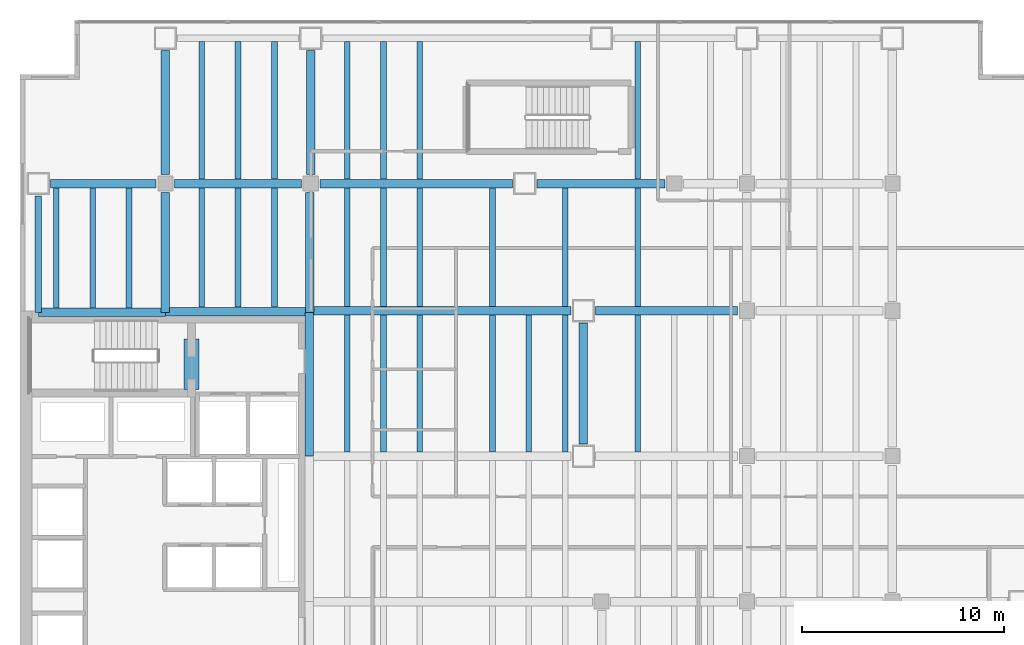
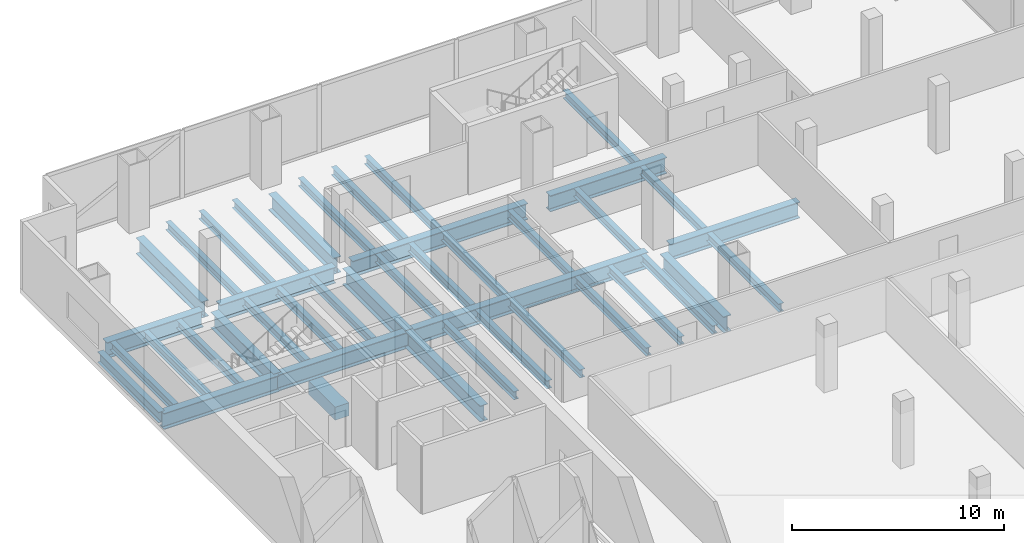
# One storey, part 10 of 28: 42 beams.
"""IFC4 building model written with IfcOpenShell, lengths in metres."""

from ifc_helpers import new_model, si_unit, direction, frame, origin, origin_2d, place, context, subcontext, project, spatial, rectangle, i_section, extrude, material, material_profile, profile_set, type_object, element, save


model = new_model("IFC4")

# Units and contexts
model_context = context("Model", 3, precision=1e-05, world=origin(), true_north=direction((0.0, 1.0)))
body_context = subcontext(model_context, "Body", "Model", "MODEL_VIEW")
ifc_project = project(units=[si_unit("LENGTHUNIT", "METRE"), si_unit("AREAUNIT", "SQUARE_METRE"), si_unit("VOLUMEUNIT", "CUBIC_METRE"), si_unit("PLANEANGLEUNIT", "RADIAN"), si_unit("MASSUNIT", "GRAM", prefix="KILO")], contexts=[model_context])

# Site, building, storey
site_placement = place(None, origin())
site = spatial("IfcSite", under=ifc_project, at=site_placement, CompositionType="ELEMENT")
building_placement = place(site_placement, origin())
building = spatial("IfcBuilding", under=site, at=building_placement, Name="Cobrela Telecom Tower", CompositionType="ELEMENT")
storey_placement = place(building_placement, frame((0.0, 0.0, 17.85009765625)))
storey = spatial("IfcBuildingStorey", under=building, at=storey_placement, Name="L04", CompositionType="ELEMENT", Elevation=17.85009765625)

# Beams
ifc_material_1 = material(Name="Concrete C40/50", Category="concrete")
ifc_material_profile_1 = material_profile(ifc_material_1, rectangle(XDim=0.75, YDim=0.75, at=origin_2d()), Name="RC 750x750")
ifc_profile_set_1 = profile_set([ifc_material_profile_1], Name="Concrete C40/50")
beam_type_1 = type_object("IfcBeamType", Name="BM-COUP-RC", PredefinedType="LINTEL", material=ifc_profile_set_1)
beam_1_placement = place(storey_placement, frame((8.5, 32.10009765625, -0.64013671875), z_axis=(0.0, 1.0, 0.0), x_axis=(-1.0, 0.0, 0.0)))
element("IfcBeam", 1, at=beam_1_placement, inside=storey, type_object=beam_type_1, Name="L04 Core Coupling Lintel Beam", PredefinedType="LINTEL", context=body_context, shape_type="SweptSolid", body=[
    extrude(rectangle(XDim=0.75, YDim=0.75, at=origin_2d()), origin(), (0.0, 0.0, 1.0), 2.5),
])
ifc_material_2 = material(Name="Steel ASTM A992 Grade 50", Category="steel")
ifc_material_profile_2 = material_profile(ifc_material_2, i_section(OverallWidth=0.4189453125, OverallDepth=0.927001953125, WebThickness=0.019287109375, FlangeThickness=0.031982421875, FilletRadius=0.02392578125, at=origin_2d()), Name="W36X231")
ifc_profile_set_2 = profile_set([ifc_material_profile_2], Name="Steel ASTM A992 Grade 50")
beam_type_2 = type_object("IfcBeamType", Name="BM-GIRD-02", PredefinedType="USERDEFINED", material=ifc_profile_set_2)
beam_2_placement = place(storey_placement, frame((0.905029296875, 35.919921875, -0.753662109375), z_axis=(1.0, 0.0, 0.0), x_axis=(0.0, 1.0, 0.0)))
element("IfcBeam", 2, at=beam_2_placement, inside=storey, type_object=beam_type_2, Name="L04 Primary Girder X41", ObjectType="GIRDER", PredefinedType="USERDEFINED", context=body_context, shape_type="SweptSolid", body=[
    extrude(i_section(OverallWidth=0.4189453125, OverallDepth=0.927001953125, WebThickness=0.019287109375, FlangeThickness=0.031982421875, FilletRadius=0.02392578125, at=origin_2d()), origin(), (0.0, 0.0, 1.0), 6.2900390625),
])
beam_3_placement = place(storey_placement, frame((7.205078125, 35.9599609375, -0.753662109375), z_axis=(1.0, 0.0, 0.0), x_axis=(0.0, 1.0, 0.0)))
element("IfcBeam", 3, at=beam_3_placement, inside=storey, type_object=beam_type_2, Name="L04 Primary Girder X42", ObjectType="GIRDER", PredefinedType="USERDEFINED", context=body_context, shape_type="SweptSolid", body=[
    extrude(i_section(OverallWidth=0.4189453125, OverallDepth=0.927001953125, WebThickness=0.019287109375, FlangeThickness=0.031982421875, FilletRadius=0.02392578125, at=origin_2d()), origin(), (0.0, 0.0, 1.0), 7.10986328125),
])
beam_4_placement = place(storey_placement, frame((14.324951171875, 36.0, -0.753662109375), z_axis=(1.0, 0.0, 0.0), x_axis=(0.0, 1.0, 0.0)))
element("IfcBeam", 4, at=beam_4_placement, inside=storey, type_object=beam_type_2, Name="L04 Primary Girder X43", ObjectType="GIRDER", PredefinedType="USERDEFINED", context=body_context, shape_type="SweptSolid", body=[
    extrude(i_section(OverallWidth=0.4189453125, OverallDepth=0.927001953125, WebThickness=0.019287109375, FlangeThickness=0.031982421875, FilletRadius=0.02392578125, at=origin_2d()), origin(), (0.0, 0.0, 1.0), 12.969970703125),
])
beam_5_placement = place(storey_placement, frame((28.5048828125, 36.0, -0.753662109375), z_axis=(1.0, 0.0, 0.0), x_axis=(0.0, 1.0, 0.0)))
element("IfcBeam", 5, at=beam_5_placement, inside=storey, type_object=beam_type_2, Name="L04 Primary Girder X44", ObjectType="GIRDER", PredefinedType="USERDEFINED", context=body_context, shape_type="SweptSolid", body=[
    extrude(i_section(OverallWidth=0.4189453125, OverallDepth=0.927001953125, WebThickness=0.019287109375, FlangeThickness=0.031982421875, FilletRadius=0.02392578125, at=origin_2d()), origin(), (0.0, 0.0, 1.0), 7.0400390625),
])
beam_6_placement = place(storey_placement, frame((1.5048828125, 42.300048828125, -0.753662109375), z_axis=(1.0, 0.0, 0.0), x_axis=(0.0, 1.0, 0.0)))
element("IfcBeam", 6, at=beam_6_placement, inside=storey, type_object=beam_type_2, Name="L04 Primary Girder X46", ObjectType="GIRDER", PredefinedType="USERDEFINED", context=body_context, shape_type="SweptSolid", body=[
    extrude(i_section(OverallWidth=0.4189453125, OverallDepth=0.927001953125, WebThickness=0.019287109375, FlangeThickness=0.031982421875, FilletRadius=0.02392578125, at=origin_2d()), origin(), (0.0, 0.0, 1.0), 5.240234375),
])
beam_7_placement = place(storey_placement, frame((7.655029296875, 42.300048828125, -0.753662109375), z_axis=(1.0, 0.0, 0.0), x_axis=(0.0, 1.0, 0.0)))
element("IfcBeam", 7, at=beam_7_placement, inside=storey, type_object=beam_type_2, Name="L04 Primary Girder X47", ObjectType="GIRDER", PredefinedType="USERDEFINED", context=body_context, shape_type="SweptSolid", body=[
    extrude(i_section(OverallWidth=0.4189453125, OverallDepth=0.927001953125, WebThickness=0.019287109375, FlangeThickness=0.031982421875, FilletRadius=0.02392578125, at=origin_2d()), origin(), (0.0, 0.0, 1.0), 6.2900390625),
])
beam_8_placement = place(storey_placement, frame((14.85498046875, 42.300048828125, -0.753662109375), z_axis=(1.0, 0.0, 0.0), x_axis=(0.0, 1.0, 0.0)))
element("IfcBeam", 8, at=beam_8_placement, inside=storey, type_object=beam_type_2, Name="L04 Primary Girder X48", ObjectType="GIRDER", PredefinedType="USERDEFINED", context=body_context, shape_type="SweptSolid", body=[
    extrude(i_section(OverallWidth=0.4189453125, OverallDepth=0.927001953125, WebThickness=0.019287109375, FlangeThickness=0.031982421875, FilletRadius=0.02392578125, at=origin_2d()), origin(), (0.0, 0.0, 1.0), 9.5400390625),
])
beam_9_placement = place(storey_placement, frame((25.60498046875, 42.300048828125, -0.753662109375), z_axis=(1.0, 0.0, 0.0), x_axis=(0.0, 1.0, 0.0)))
element("IfcBeam", 9, at=beam_9_placement, inside=storey, type_object=beam_type_2, Name="L04 Primary Girder X49", ObjectType="GIRDER", PredefinedType="USERDEFINED", context=body_context, shape_type="SweptSolid", body=[
    extrude(i_section(OverallWidth=0.4189453125, OverallDepth=0.927001953125, WebThickness=0.019287109375, FlangeThickness=0.031982421875, FilletRadius=0.02392578125, at=origin_2d()), origin(), (0.0, 0.0, 1.0), 6.340087890625),
])
beam_10_placement = place(storey_placement, frame((7.199951171875, 35.925048828125, -0.753662109375), z_axis=(0.0, 1.0, 0.0), x_axis=(-1.0, 0.0, 0.0)))
element("IfcBeam", 10, at=beam_10_placement, inside=storey, type_object=beam_type_2, Name="L04 Primary Girder Y58", ObjectType="GIRDER", PredefinedType="USERDEFINED", context=body_context, shape_type="SweptSolid", body=[
    extrude(i_section(OverallWidth=0.4189453125, OverallDepth=0.927001953125, WebThickness=0.019287109375, FlangeThickness=0.031982421875, FilletRadius=0.02392578125, at=origin_2d()), origin(), (0.0, 0.0, 1.0), 5.919921875),
])
beam_11_placement = place(storey_placement, frame((7.199951171875, 42.7548828125, -0.753662109375), z_axis=(0.0, 1.0, 0.0), x_axis=(-1.0, 0.0, 0.0)))
element("IfcBeam", 11, at=beam_11_placement, inside=storey, type_object=beam_type_2, Name="L04 Primary Girder Y59", ObjectType="GIRDER", PredefinedType="USERDEFINED", context=body_context, shape_type="SweptSolid", body=[
    extrude(i_section(OverallWidth=0.4189453125, OverallDepth=0.927001953125, WebThickness=0.019287109375, FlangeThickness=0.031982421875, FilletRadius=0.02392578125, at=origin_2d()), origin(), (0.0, 0.0, 1.0), 6.14013671875),
])
beam_12_placement = place(storey_placement, frame((14.320068359375, 28.804931640625, -0.753662109375), z_axis=(0.0, 1.0, 0.0), x_axis=(-1.0, 0.0, 0.0)))
element("IfcBeam", 12, at=beam_12_placement, inside=storey, type_object=beam_type_2, Name="L04 Primary Girder Y64", ObjectType="GIRDER", PredefinedType="USERDEFINED", context=body_context, shape_type="SweptSolid", body=[
    extrude(i_section(OverallWidth=0.4189453125, OverallDepth=0.927001953125, WebThickness=0.019287109375, FlangeThickness=0.031982421875, FilletRadius=0.02392578125, at=origin_2d()), origin(), (0.0, 0.0, 1.0), 7.110107421875),
])
beam_13_placement = place(storey_placement, frame((14.360107421875, 35.925048828125, -0.753662109375), z_axis=(0.0, 1.0, 0.0), x_axis=(-1.0, 0.0, 0.0)))
element("IfcBeam", 13, at=beam_13_placement, inside=storey, type_object=beam_type_2, Name="L04 Primary Girder Y65", ObjectType="GIRDER", PredefinedType="USERDEFINED", context=body_context, shape_type="SweptSolid", body=[
    extrude(i_section(OverallWidth=0.4189453125, OverallDepth=0.927001953125, WebThickness=0.019287109375, FlangeThickness=0.031982421875, FilletRadius=0.02392578125, at=origin_2d()), origin(), (0.0, 0.0, 1.0), 5.919921875),
])
beam_14_placement = place(storey_placement, frame((14.39990234375, 42.7548828125, -0.753662109375), z_axis=(0.0, 1.0, 0.0), x_axis=(-1.0, 0.0, 0.0)))
element("IfcBeam", 14, at=beam_14_placement, inside=storey, type_object=beam_type_2, Name="L04 Primary Girder Y66", ObjectType="GIRDER", PredefinedType="USERDEFINED", context=body_context, shape_type="SweptSolid", body=[
    extrude(i_section(OverallWidth=0.4189453125, OverallDepth=0.927001953125, WebThickness=0.019287109375, FlangeThickness=0.031982421875, FilletRadius=0.02392578125, at=origin_2d()), origin(), (0.0, 0.0, 1.0), 6.14013671875),
])
beam_15_placement = place(storey_placement, frame((27.89990234375, 29.405029296875, -0.753662109375), z_axis=(0.0, 1.0, 0.0), x_axis=(-1.0, 0.0, 0.0)))
element("IfcBeam", 15, at=beam_15_placement, inside=storey, type_object=beam_type_2, Name="L04 Primary Girder Y67", ObjectType="GIRDER", PredefinedType="USERDEFINED", context=body_context, shape_type="SweptSolid", body=[
    extrude(i_section(OverallWidth=0.4189453125, OverallDepth=0.927001953125, WebThickness=0.019287109375, FlangeThickness=0.031982421875, FilletRadius=0.02392578125, at=origin_2d()), origin(), (0.0, 0.0, 1.0), 5.989990234375),
])
ifc_material_profile_3 = material_profile(ifc_material_2, i_section(OverallWidth=0.281982421875, OverallDepth=0.467041015625, WebThickness=0.01220703125, FlangeThickness=0.01953125, FilletRadius=0.012939453125, at=origin_2d()), Name="W18X86")
ifc_profile_set_3 = profile_set([ifc_material_profile_3], Name="Steel ASTM A992 Grade 50")
beam_type_3 = type_object("IfcBeamType", Name="BM-JOIST-02", PredefinedType="JOIST", material=ifc_profile_set_3)
for number, where, z_axis, x_axis, name in (
    (16, (1.800048828125, 36.134521484375, -0.523681640625), (0.0, 1.0, 0.0), (-1.0, 0.0, 0.0), "L04 Secondary Composite Floor Beam J01"),
    (17, (3.60009765625, 36.134521484375, -0.523681640625), (0.0, 1.0, 0.0), (-1.0, 0.0, 0.0), "L04 Secondary Composite Floor Beam J02"),
    (18, (5.39990234375, 36.134521484375, -0.523681640625), (0.0, 1.0, 0.0), (-1.0, 0.0, 0.0), "L04 Secondary Composite Floor Beam J03"),
):
    element("IfcBeam", number, at=place(storey_placement, frame(where, z_axis=z_axis, x_axis=x_axis)), inside=storey, type_object=beam_type_3, Name=name, PredefinedType="JOIST", context=body_context, shape_type="SweptSolid", body=[
        extrude(i_section(OverallWidth=0.281982421875, OverallDepth=0.467041015625, WebThickness=0.01220703125, FlangeThickness=0.01953125, FilletRadius=0.012939453125, at=origin_2d()), origin(), (0.0, 0.0, 1.0), 5.950927734375),
    ])
beam_16_placement = place(storey_placement, frame((9.0, 36.174560546875, -0.523681640625), z_axis=(0.0, 1.0, 0.0), x_axis=(-1.0, 0.0, 0.0)))
element("IfcBeam", 19, at=beam_16_placement, inside=storey, type_object=beam_type_3, Name="L04 Secondary Composite Floor Beam J05", PredefinedType="JOIST", context=body_context, shape_type="SweptSolid", body=[
    extrude(i_section(OverallWidth=0.281982421875, OverallDepth=0.467041015625, WebThickness=0.01220703125, FlangeThickness=0.01953125, FilletRadius=0.012939453125, at=origin_2d()), origin(), (0.0, 0.0, 1.0), 5.910888671875),
])
beam_17_placement = place(storey_placement, frame((9.0, 42.514404296875, -0.523681640625), z_axis=(0.0, 1.0, 0.0), x_axis=(-1.0, 0.0, 0.0)))
element("IfcBeam", 20, at=beam_17_placement, inside=storey, type_object=beam_type_3, Name="L04 Secondary Composite Floor Beam J06", PredefinedType="JOIST", context=body_context, shape_type="SweptSolid", body=[
    extrude(i_section(OverallWidth=0.281982421875, OverallDepth=0.467041015625, WebThickness=0.01220703125, FlangeThickness=0.01953125, FilletRadius=0.012939453125, at=origin_2d()), origin(), (0.0, 0.0, 1.0), 6.818115234375),
])
beam_18_placement = place(storey_placement, frame((10.800048828125, 36.174560546875, -0.523681640625), z_axis=(0.0, 1.0, 0.0), x_axis=(-1.0, 0.0, 0.0)))
element("IfcBeam", 21, at=beam_18_placement, inside=storey, type_object=beam_type_3, Name="L04 Secondary Composite Floor Beam J08", PredefinedType="JOIST", context=body_context, shape_type="SweptSolid", body=[
    extrude(i_section(OverallWidth=0.281982421875, OverallDepth=0.467041015625, WebThickness=0.01220703125, FlangeThickness=0.01953125, FilletRadius=0.012939453125, at=origin_2d()), origin(), (0.0, 0.0, 1.0), 5.910888671875),
])
beam_19_placement = place(storey_placement, frame((10.800048828125, 42.514404296875, -0.523681640625), z_axis=(0.0, 1.0, 0.0), x_axis=(-1.0, 0.0, 0.0)))
element("IfcBeam", 22, at=beam_19_placement, inside=storey, type_object=beam_type_3, Name="L04 Secondary Composite Floor Beam J09", PredefinedType="JOIST", context=body_context, shape_type="SweptSolid", body=[
    extrude(i_section(OverallWidth=0.281982421875, OverallDepth=0.467041015625, WebThickness=0.01220703125, FlangeThickness=0.01953125, FilletRadius=0.012939453125, at=origin_2d()), origin(), (0.0, 0.0, 1.0), 6.818115234375),
])
beam_20_placement = place(storey_placement, frame((12.60009765625, 36.174560546875, -0.523681640625), z_axis=(0.0, 1.0, 0.0), x_axis=(-1.0, 0.0, 0.0)))
element("IfcBeam", 23, at=beam_20_placement, inside=storey, type_object=beam_type_3, Name="L04 Secondary Composite Floor Beam J11", PredefinedType="JOIST", context=body_context, shape_type="SweptSolid", body=[
    extrude(i_section(OverallWidth=0.281982421875, OverallDepth=0.467041015625, WebThickness=0.01220703125, FlangeThickness=0.01953125, FilletRadius=0.012939453125, at=origin_2d()), origin(), (0.0, 0.0, 1.0), 5.910888671875),
])
beam_21_placement = place(storey_placement, frame((12.60009765625, 42.514404296875, -0.523681640625), z_axis=(0.0, 1.0, 0.0), x_axis=(-1.0, 0.0, 0.0)))
element("IfcBeam", 24, at=beam_21_placement, inside=storey, type_object=beam_type_3, Name="L04 Secondary Composite Floor Beam J12", PredefinedType="JOIST", context=body_context, shape_type="SweptSolid", body=[
    extrude(i_section(OverallWidth=0.281982421875, OverallDepth=0.467041015625, WebThickness=0.01220703125, FlangeThickness=0.01953125, FilletRadius=0.012939453125, at=origin_2d()), origin(), (0.0, 0.0, 1.0), 6.818115234375),
])
beam_22_placement = place(storey_placement, frame((16.199951171875, 29.014404296875, -0.523681640625), z_axis=(0.0, 1.0, 0.0), x_axis=(-1.0, 0.0, 0.0)))
element("IfcBeam", 25, at=beam_22_placement, inside=storey, type_object=beam_type_3, Name="L04 Secondary Composite Floor Beam J17", PredefinedType="JOIST", context=body_context, shape_type="SweptSolid", body=[
    extrude(i_section(OverallWidth=0.281982421875, OverallDepth=0.467041015625, WebThickness=0.01220703125, FlangeThickness=0.01953125, FilletRadius=0.012939453125, at=origin_2d()), origin(), (0.0, 0.0, 1.0), 6.77099609375),
])
beam_23_placement = place(storey_placement, frame((16.199951171875, 36.214599609375, -0.523681640625), z_axis=(0.0, 1.0, 0.0), x_axis=(-1.0, 0.0, 0.0)))
element("IfcBeam", 26, at=beam_23_placement, inside=storey, type_object=beam_type_3, Name="L04 Secondary Composite Floor Beam J18", PredefinedType="JOIST", context=body_context, shape_type="SweptSolid", body=[
    extrude(i_section(OverallWidth=0.281982421875, OverallDepth=0.467041015625, WebThickness=0.01220703125, FlangeThickness=0.01953125, FilletRadius=0.012939453125, at=origin_2d()), origin(), (0.0, 0.0, 1.0), 5.870849609375),
])
beam_24_placement = place(storey_placement, frame((16.199951171875, 42.514404296875, -0.523681640625), z_axis=(0.0, 1.0, 0.0), x_axis=(-1.0, 0.0, 0.0)))
element("IfcBeam", 27, at=beam_24_placement, inside=storey, type_object=beam_type_3, Name="L04 Secondary Composite Floor Beam J19", PredefinedType="JOIST", context=body_context, shape_type="SweptSolid", body=[
    extrude(i_section(OverallWidth=0.281982421875, OverallDepth=0.467041015625, WebThickness=0.01220703125, FlangeThickness=0.01953125, FilletRadius=0.012939453125, at=origin_2d()), origin(), (0.0, 0.0, 1.0), 6.818115234375),
])
beam_25_placement = place(storey_placement, frame((18.0, 29.014404296875, -0.523681640625), z_axis=(0.0, 1.0, 0.0), x_axis=(-1.0, 0.0, 0.0)))
element("IfcBeam", 28, at=beam_25_placement, inside=storey, type_object=beam_type_3, Name="L04 Secondary Composite Floor Beam J24", PredefinedType="JOIST", context=body_context, shape_type="SweptSolid", body=[
    extrude(i_section(OverallWidth=0.281982421875, OverallDepth=0.467041015625, WebThickness=0.01220703125, FlangeThickness=0.01953125, FilletRadius=0.012939453125, at=origin_2d()), origin(), (0.0, 0.0, 1.0), 6.77099609375),
])
beam_26_placement = place(storey_placement, frame((18.0, 36.214599609375, -0.523681640625), z_axis=(0.0, 1.0, 0.0), x_axis=(-1.0, 0.0, 0.0)))
element("IfcBeam", 29, at=beam_26_placement, inside=storey, type_object=beam_type_3, Name="L04 Secondary Composite Floor Beam J25", PredefinedType="JOIST", context=body_context, shape_type="SweptSolid", body=[
    extrude(i_section(OverallWidth=0.281982421875, OverallDepth=0.467041015625, WebThickness=0.01220703125, FlangeThickness=0.01953125, FilletRadius=0.012939453125, at=origin_2d()), origin(), (0.0, 0.0, 1.0), 5.870849609375),
])
beam_27_placement = place(storey_placement, frame((18.0, 42.514404296875, -0.523681640625), z_axis=(0.0, 1.0, 0.0), x_axis=(-1.0, 0.0, 0.0)))
element("IfcBeam", 30, at=beam_27_placement, inside=storey, type_object=beam_type_3, Name="L04 Secondary Composite Floor Beam J26", PredefinedType="JOIST", context=body_context, shape_type="SweptSolid", body=[
    extrude(i_section(OverallWidth=0.281982421875, OverallDepth=0.467041015625, WebThickness=0.01220703125, FlangeThickness=0.01953125, FilletRadius=0.012939453125, at=origin_2d()), origin(), (0.0, 0.0, 1.0), 6.818115234375),
])
beam_28_placement = place(storey_placement, frame((19.800048828125, 29.014404296875, -0.523681640625), z_axis=(0.0, 1.0, 0.0), x_axis=(-1.0, 0.0, 0.0)))
element("IfcBeam", 31, at=beam_28_placement, inside=storey, type_object=beam_type_3, Name="L04 Secondary Composite Floor Beam J31", PredefinedType="JOIST", context=body_context, shape_type="SweptSolid", body=[
    extrude(i_section(OverallWidth=0.281982421875, OverallDepth=0.467041015625, WebThickness=0.01220703125, FlangeThickness=0.01953125, FilletRadius=0.012939453125, at=origin_2d()), origin(), (0.0, 0.0, 1.0), 6.77099609375),
])
beam_29_placement = place(storey_placement, frame((19.800048828125, 36.214599609375, -0.523681640625), z_axis=(0.0, 1.0, 0.0), x_axis=(-1.0, 0.0, 0.0)))
element("IfcBeam", 32, at=beam_29_placement, inside=storey, type_object=beam_type_3, Name="L04 Secondary Composite Floor Beam J32", PredefinedType="JOIST", context=body_context, shape_type="SweptSolid", body=[
    extrude(i_section(OverallWidth=0.281982421875, OverallDepth=0.467041015625, WebThickness=0.01220703125, FlangeThickness=0.01953125, FilletRadius=0.012939453125, at=origin_2d()), origin(), (0.0, 0.0, 1.0), 5.870849609375),
])
beam_30_placement = place(storey_placement, frame((19.800048828125, 42.514404296875, -0.523681640625), z_axis=(0.0, 1.0, 0.0), x_axis=(-1.0, 0.0, 0.0)))
element("IfcBeam", 33, at=beam_30_placement, inside=storey, type_object=beam_type_3, Name="L04 Secondary Composite Floor Beam J33", PredefinedType="JOIST", context=body_context, shape_type="SweptSolid", body=[
    extrude(i_section(OverallWidth=0.281982421875, OverallDepth=0.467041015625, WebThickness=0.01220703125, FlangeThickness=0.01953125, FilletRadius=0.012939453125, at=origin_2d()), origin(), (0.0, 0.0, 1.0), 6.818115234375),
])
beam_31_placement = place(storey_placement, frame((23.39990234375, 29.014404296875, -0.523681640625), z_axis=(0.0, 1.0, 0.0), x_axis=(-1.0, 0.0, 0.0)))
element("IfcBeam", 34, at=beam_31_placement, inside=storey, type_object=beam_type_3, Name="L04 Secondary Composite Floor Beam J38", PredefinedType="JOIST", context=body_context, shape_type="SweptSolid", body=[
    extrude(i_section(OverallWidth=0.281982421875, OverallDepth=0.467041015625, WebThickness=0.01220703125, FlangeThickness=0.01953125, FilletRadius=0.012939453125, at=origin_2d()), origin(), (0.0, 0.0, 1.0), 6.77099609375),
])
beam_32_placement = place(storey_placement, frame((23.39990234375, 36.214599609375, -0.523681640625), z_axis=(0.0, 1.0, 0.0), x_axis=(-1.0, 0.0, 0.0)))
element("IfcBeam", 35, at=beam_32_placement, inside=storey, type_object=beam_type_3, Name="L04 Secondary Composite Floor Beam J39", PredefinedType="JOIST", context=body_context, shape_type="SweptSolid", body=[
    extrude(i_section(OverallWidth=0.281982421875, OverallDepth=0.467041015625, WebThickness=0.01220703125, FlangeThickness=0.01953125, FilletRadius=0.012939453125, at=origin_2d()), origin(), (0.0, 0.0, 1.0), 5.870849609375),
])
for number, where, z_axis, x_axis, name in (
    (36, (25.199951171875, 29.014404296875, -0.523681640625), (0.0, 1.0, 0.0), (-1.0, 0.0, 0.0), "L04 Secondary Composite Floor Beam J44"),
    (37, (27.0, 29.014404296875, -0.523681640625), (0.0, 1.0, 0.0), (-1.0, 0.0, 0.0), "L04 Secondary Composite Floor Beam J49"),
):
    element("IfcBeam", number, at=place(storey_placement, frame(where, z_axis=z_axis, x_axis=x_axis)), inside=storey, type_object=beam_type_3, Name=name, PredefinedType="JOIST", context=body_context, shape_type="SweptSolid", body=[
        extrude(i_section(OverallWidth=0.281982421875, OverallDepth=0.467041015625, WebThickness=0.01220703125, FlangeThickness=0.01953125, FilletRadius=0.012939453125, at=origin_2d()), origin(), (0.0, 0.0, 1.0), 6.77099609375),
    ])
beam_33_placement = place(storey_placement, frame((27.0, 36.214599609375, -0.523681640625), z_axis=(0.0, 1.0, 0.0), x_axis=(-1.0, 0.0, 0.0)))
element("IfcBeam", 38, at=beam_33_placement, inside=storey, type_object=beam_type_3, Name="L04 Secondary Composite Floor Beam J50", PredefinedType="JOIST", context=body_context, shape_type="SweptSolid", body=[
    extrude(i_section(OverallWidth=0.281982421875, OverallDepth=0.467041015625, WebThickness=0.01220703125, FlangeThickness=0.01953125, FilletRadius=0.012939453125, at=origin_2d()), origin(), (0.0, 0.0, 1.0), 5.870849609375),
])
beam_34_placement = place(storey_placement, frame((30.60009765625, 29.014404296875, -0.523681640625), z_axis=(0.0, 1.0, 0.0), x_axis=(-1.0, 0.0, 0.0)))
element("IfcBeam", 39, at=beam_34_placement, inside=storey, type_object=beam_type_3, Name="L04 Secondary Composite Floor Beam J55", PredefinedType="JOIST", context=body_context, shape_type="SweptSolid", body=[
    extrude(i_section(OverallWidth=0.281982421875, OverallDepth=0.467041015625, WebThickness=0.01220703125, FlangeThickness=0.01953125, FilletRadius=0.012939453125, at=origin_2d()), origin(), (0.0, 0.0, 1.0), 6.77099609375),
])
beam_35_placement = place(storey_placement, frame((30.60009765625, 36.214599609375, -0.523681640625), z_axis=(0.0, 1.0, 0.0), x_axis=(-1.0, 0.0, 0.0)))
element("IfcBeam", 40, at=beam_35_placement, inside=storey, type_object=beam_type_3, Name="L04 Secondary Composite Floor Beam J56", PredefinedType="JOIST", context=body_context, shape_type="SweptSolid", body=[
    extrude(i_section(OverallWidth=0.281982421875, OverallDepth=0.467041015625, WebThickness=0.01220703125, FlangeThickness=0.01953125, FilletRadius=0.012939453125, at=origin_2d()), origin(), (0.0, 0.0, 1.0), 5.870849609375),
])
beam_36_placement = place(storey_placement, frame((30.60009765625, 42.514404296875, -0.523681640625), z_axis=(0.0, 1.0, 0.0), x_axis=(-1.0, 0.0, 0.0)))
element("IfcBeam", 41, at=beam_36_placement, inside=storey, type_object=beam_type_3, Name="L04 Secondary Composite Floor Beam J57", PredefinedType="JOIST", context=body_context, shape_type="SweptSolid", body=[
    extrude(i_section(OverallWidth=0.281982421875, OverallDepth=0.467041015625, WebThickness=0.01220703125, FlangeThickness=0.01953125, FilletRadius=0.012939453125, at=origin_2d()), origin(), (0.0, 0.0, 1.0), 6.818115234375),
])
ifc_material_profile_4 = material_profile(ifc_material_2, i_section(OverallWidth=0.324951171875, OverallDepth=0.612060546875, WebThickness=0.0126953125, FlangeThickness=0.01904296875, FilletRadius=0.014892578125, at=origin_2d()), Name="W24X104")
ifc_profile_set_4 = profile_set([ifc_material_profile_4], Name="Steel ASTM A992 Grade 50")
beam_type_4 = type_object("IfcBeamType", Name="BM-SPAND-02", PredefinedType="SPANDREL", material=ifc_profile_set_4)
beam_37_placement = place(storey_placement, frame((0.89990234375, 35.925048828125, -0.59619140625), z_axis=(0.0, 1.0, 0.0), x_axis=(-1.0, 0.0, 0.0)))
element("IfcBeam", 42, at=beam_37_placement, inside=storey, type_object=beam_type_4, Name="L04 Perimeter Spandrel Y56", PredefinedType="SPANDREL", context=body_context, shape_type="SweptSolid", body=[
    extrude(i_section(OverallWidth=0.324951171875, OverallDepth=0.612060546875, WebThickness=0.0126953125, FlangeThickness=0.01904296875, FilletRadius=0.014892578125, at=origin_2d()), origin(), (0.0, 0.0, 1.0), 5.77001953125),
])

save(model, "model.ifc")
